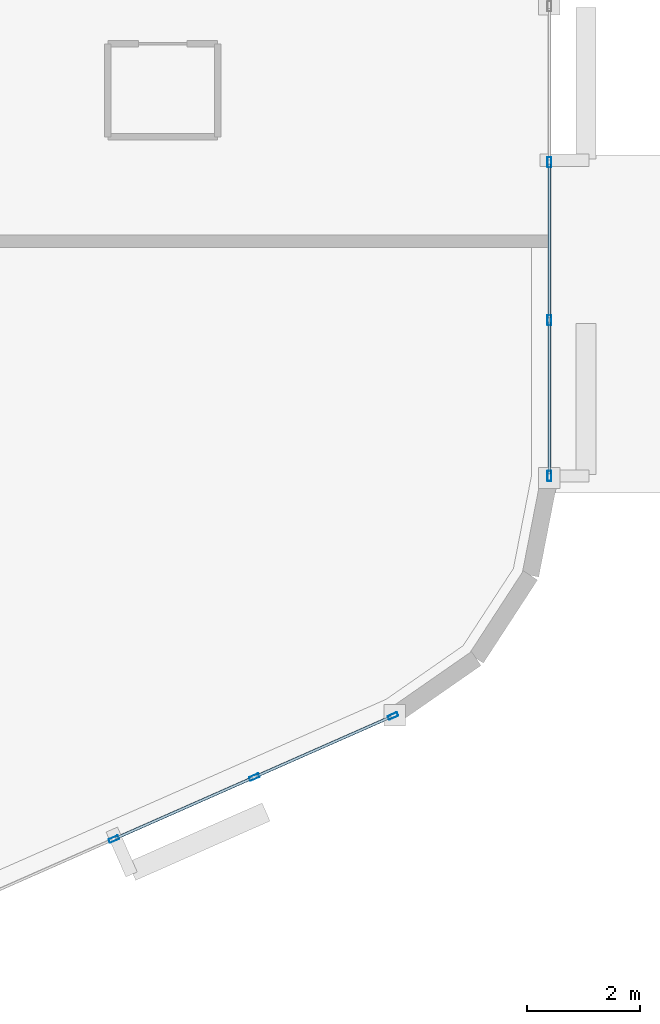
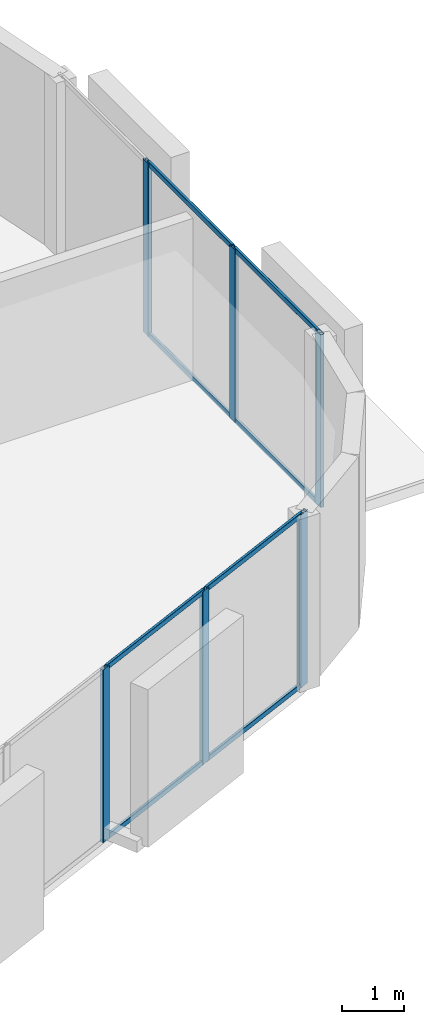
# One storey, part 4 of 12: 14 members, 2 elements without a shape of their own.
"""IFC4 building model written with IfcOpenShell, lengths in metres."""

from ifc_helpers import new_model, si_unit, direction, frame, origin, origin_2d, place, context, subcontext, project, spatial, hollow_rectangle, extrude, material, layer, layer_set, material_profile, profile_set, type_object, element, aggregate, save


model = new_model("IFC4")

# Units and contexts
model_context = context("Model", 3, precision=1e-05, world=origin(), true_north=direction((0.0, 1.0)))
body_context = subcontext(model_context, "Body", "Model", "MODEL_VIEW")
ifc_project = project(units=[si_unit("LENGTHUNIT", "METRE"), si_unit("AREAUNIT", "SQUARE_METRE"), si_unit("VOLUMEUNIT", "CUBIC_METRE"), si_unit("PLANEANGLEUNIT", "RADIAN"), si_unit("MASSUNIT", "GRAM", prefix="KILO")], contexts=[model_context])

# Site, building, storey
site_placement = place(None, origin())
site = spatial("IfcSite", under=ifc_project, at=site_placement, CompositionType="ELEMENT")
building_placement = place(site_placement, origin())
building = spatial("IfcBuilding", under=site, at=building_placement, Name="An Khanh Terracotta Commons", CompositionType="ELEMENT")
storey_placement = place(building_placement, frame((0.0, 0.0, 291.64990234375)))
storey = spatial("IfcBuildingStorey", under=building, at=storey_placement, Name="L76", CompositionType="ELEMENT", Elevation=291.64990234375)

# Curtain wall, members
ifc_material = material(Name="Anodised Aluminium 6063-T6", Category="aluminium")
ifc_layer = layer(ifc_material, 0.2099609375, Name="Anodised Aluminium 6063-T6")
ifc_layer_set = layer_set([ifc_layer], Name="Anodised Aluminium 6063-T6")
curtain_wall_type = type_object("IfcCurtainWallType", Name="CW-SYS-03", PredefinedType="USERDEFINED", material=ifc_layer_set)
curtain_wall_1_placement = place(storey_placement, origin())
curtain_wall_1 = element("IfcCurtainWall", 1, at=curtain_wall_1_placement, inside=storey, type_object=curtain_wall_type, Name="L76 CW-03 Unitised Curtain Wall CW-L76-08", ObjectType="UNITISED CURTAIN WALL", PredefinedType="USERDEFINED")
ifc_material_profile_1 = material_profile(ifc_material, hollow_rectangle(XDim=0.070068359375, YDim=0.179931640625, WallThickness=0.00390625, InnerFilletRadius=0.00390625, OuterFilletRadius=0.008056640625, at=origin_2d()), Name="RHS180x70x4")
ifc_profile_set_1 = profile_set([ifc_material_profile_1], Name="Anodised Aluminium 6063-T6")
member_type_1 = type_object("IfcMemberType", Name="CWM-RHS180x70x4", PredefinedType="MULLION", material=ifc_profile_set_1)
member_1_placement = place(storey_placement, frame((67.8720703125, 13.390380859375, 0.0), z_axis=(0.0, 0.0, 1.0), x_axis=(-0.403676354285, 0.914901853201, 0.0)))
member_1 = element("IfcMember", 2, at=member_1_placement, type_object=member_type_1, Name="CW-03 mullion 3", PredefinedType="MULLION", context=body_context, shape_type="SweptSolid", body=[
    extrude(hollow_rectangle(XDim=0.070068359375, YDim=0.179931640625, WallThickness=0.00390625, InnerFilletRadius=0.00390625, OuterFilletRadius=0.008056640625, at=origin_2d()), origin(), (0.0, 0.0, 1.0), 3.41015625),
])
member_2_placement = place(storey_placement, frame((70.364501953125, 14.490234375, 0.0), z_axis=(0.0, 0.0, 1.0), x_axis=(-0.403676354285, 0.914901853201, 0.0)))
member_2 = element("IfcMember", 3, at=member_2_placement, type_object=member_type_1, Name="CW-03 mullion 4", PredefinedType="MULLION", context=body_context, shape_type="SweptSolid", body=[
    extrude(hollow_rectangle(XDim=0.070068359375, YDim=0.179931640625, WallThickness=0.00390625, InnerFilletRadius=0.00390625, OuterFilletRadius=0.008056640625, at=origin_2d()), origin(), (0.0, 0.0, 1.0), 3.41015625),
])
member_3_placement = place(storey_placement, frame((72.824951171875, 15.575927734375, 0.0), z_axis=(0.0, 0.0, 1.0), x_axis=(-0.403676354285, 0.914901853201, 0.0)))
member_3 = element("IfcMember", 4, at=member_3_placement, type_object=member_type_1, Name="CW-03 mullion 5", PredefinedType="MULLION", context=body_context, shape_type="SweptSolid", body=[
    extrude(hollow_rectangle(XDim=0.070068359375, YDim=0.179931640625, WallThickness=0.00390625, InnerFilletRadius=0.00390625, OuterFilletRadius=0.008056640625, at=origin_2d()), origin(), (0.0, 0.0, 1.0), 3.41015625),
])

curtain_wall_2_placement = place(storey_placement, origin())
curtain_wall_2 = element("IfcCurtainWall", 5, at=curtain_wall_2_placement, inside=storey, type_object=curtain_wall_type, Name="L76 CW-03 Unitised Curtain Wall CW-L76-12", ObjectType="UNITISED CURTAIN WALL", PredefinedType="USERDEFINED")
member_4_placement = place(storey_placement, frame((75.60009765625, 19.8330078125, 0.0), z_axis=(0.0, 0.0, 1.0), x_axis=(-1.0, 0.0, 0.0)))
member_4 = element("IfcMember", 6, at=member_4_placement, type_object=member_type_1, Name="CW-03 mullion 1", PredefinedType="MULLION", context=body_context, shape_type="SweptSolid", body=[
    extrude(hollow_rectangle(XDim=0.070068359375, YDim=0.179931640625, WallThickness=0.00390625, InnerFilletRadius=0.00390625, OuterFilletRadius=0.008056640625, at=origin_2d()), origin(), (0.0, 0.0, 1.0), 3.41015625),
])
member_5_placement = place(storey_placement, frame((75.60009765625, 22.599365234375, 0.0), z_axis=(0.0, 0.0, 1.0), x_axis=(-1.0, 0.0, 0.0)))
member_5 = element("IfcMember", 7, at=member_5_placement, type_object=member_type_1, Name="CW-03 mullion 2", PredefinedType="MULLION", context=body_context, shape_type="SweptSolid", body=[
    extrude(hollow_rectangle(XDim=0.070068359375, YDim=0.179931640625, WallThickness=0.00390625, InnerFilletRadius=0.00390625, OuterFilletRadius=0.008056640625, at=origin_2d()), origin(), (0.0, 0.0, 1.0), 3.41015625),
])
member_6_placement = place(storey_placement, frame((75.60009765625, 25.400634765625, 0.0), z_axis=(0.0, 0.0, 1.0), x_axis=(-1.0, 0.0, 0.0)))
member_6 = element("IfcMember", 8, at=member_6_placement, type_object=member_type_1, Name="CW-03 mullion 3", PredefinedType="MULLION", context=body_context, shape_type="SweptSolid", body=[
    extrude(hollow_rectangle(XDim=0.070068359375, YDim=0.179931640625, WallThickness=0.00390625, InnerFilletRadius=0.00390625, OuterFilletRadius=0.008056640625, at=origin_2d()), origin(), (0.0, 0.0, 1.0), 3.41015625),
])

# Member
ifc_material_profile_2 = material_profile(ifc_material, hollow_rectangle(XDim=0.050048828125, YDim=0.10009765625, WallThickness=0.003173828125, InnerFilletRadius=0.003173828125, OuterFilletRadius=0.00634765625, at=origin_2d()), Name="RHS100x50x3.2")
ifc_profile_set_2 = profile_set([ifc_material_profile_2], Name="Anodised Aluminium 6063-T6")
member_type_2 = type_object("IfcMemberType", Name="CWT-RHS100x50x3.2", PredefinedType="USERDEFINED", material=ifc_profile_set_2)
member_7_placement = place(storey_placement, frame((67.904052734375, 13.404541015625, 0.025146484375), z_axis=(0.914896820753, 0.403687759755, 0.0), x_axis=(-0.403687759755, 0.914896820753, 0.0)))
member_7 = element("IfcMember", 9, at=member_7_placement, type_object=member_type_2, Name="CW-03 transom 3.1", ObjectType="TRANSOM", PredefinedType="USERDEFINED", context=body_context, shape_type="SweptSolid", body=[
    extrude(hollow_rectangle(XDim=0.050048828125, YDim=0.10009765625, WallThickness=0.003173828125, InnerFilletRadius=0.003173828125, OuterFilletRadius=0.00634765625, at=origin_2d()), origin(), (0.0, 0.0, 1.0), 2.654296875),
])

member_8_placement = place(storey_placement, frame((67.904052734375, 13.404541015625, 3.385009765625), z_axis=(0.914896820753, 0.403687759755, 0.0), x_axis=(-0.403687759755, 0.914896820753, 0.0)))
member_8 = element("IfcMember", 10, at=member_8_placement, type_object=member_type_2, Name="CW-03 transom 3.2", ObjectType="TRANSOM", PredefinedType="USERDEFINED", context=body_context, shape_type="SweptSolid", body=[
    extrude(hollow_rectangle(XDim=0.050048828125, YDim=0.10009765625, WallThickness=0.003173828125, InnerFilletRadius=0.003173828125, OuterFilletRadius=0.00634765625, at=origin_2d()), origin(), (0.0, 0.0, 1.0), 2.654296875),
])

member_9_placement = place(storey_placement, frame((70.396484375, 14.50439453125, 0.025146484375), z_axis=(0.914903627858, 0.403672332137, 0.0), x_axis=(-0.403672332137, 0.914903627858, 0.0)))
member_9 = element("IfcMember", 11, at=member_9_placement, type_object=member_type_2, Name="CW-03 transom 4.1", ObjectType="TRANSOM", PredefinedType="USERDEFINED", context=body_context, shape_type="SweptSolid", body=[
    extrude(hollow_rectangle(XDim=0.050048828125, YDim=0.10009765625, WallThickness=0.003173828125, InnerFilletRadius=0.003173828125, OuterFilletRadius=0.00634765625, at=origin_2d()), origin(), (0.0, 0.0, 1.0), 2.619384765625),
])

member_10_placement = place(storey_placement, frame((70.396484375, 14.50439453125, 3.385009765625), z_axis=(0.914903627858, 0.403672332137, 0.0), x_axis=(-0.403672332137, 0.914903627858, 0.0)))
member_10 = element("IfcMember", 12, at=member_10_placement, type_object=member_type_2, Name="CW-03 transom 4.2", ObjectType="TRANSOM", PredefinedType="USERDEFINED", context=body_context, shape_type="SweptSolid", body=[
    extrude(hollow_rectangle(XDim=0.050048828125, YDim=0.10009765625, WallThickness=0.003173828125, InnerFilletRadius=0.003173828125, OuterFilletRadius=0.00634765625, at=origin_2d()), origin(), (0.0, 0.0, 1.0), 2.619384765625),
])

aggregate(curtain_wall_1, [member_1, member_2, member_3, member_7, member_8, member_9, member_10])

member_11_placement = place(storey_placement, frame((75.60009765625, 19.867919921875, 0.025146484375), z_axis=(0.0, 1.0, 0.0), x_axis=(-1.0, 0.0, 0.0)))
member_11 = element("IfcMember", 13, at=member_11_placement, type_object=member_type_2, Name="CW-03 transom 1.1", ObjectType="TRANSOM", PredefinedType="USERDEFINED", context=body_context, shape_type="SweptSolid", body=[
    extrude(hollow_rectangle(XDim=0.050048828125, YDim=0.10009765625, WallThickness=0.003173828125, InnerFilletRadius=0.003173828125, OuterFilletRadius=0.00634765625, at=origin_2d()), origin(), (0.0, 0.0, 1.0), 2.696533203125),
])

member_12_placement = place(storey_placement, frame((75.60009765625, 19.867919921875, 3.385009765625), z_axis=(0.0, 1.0, 0.0), x_axis=(-1.0, 0.0, 0.0)))
member_12 = element("IfcMember", 14, at=member_12_placement, type_object=member_type_2, Name="CW-03 transom 1.2", ObjectType="TRANSOM", PredefinedType="USERDEFINED", context=body_context, shape_type="SweptSolid", body=[
    extrude(hollow_rectangle(XDim=0.050048828125, YDim=0.10009765625, WallThickness=0.003173828125, InnerFilletRadius=0.003173828125, OuterFilletRadius=0.00634765625, at=origin_2d()), origin(), (0.0, 0.0, 1.0), 2.696533203125),
])

member_13_placement = place(storey_placement, frame((75.60009765625, 22.63427734375, 0.025146484375), z_axis=(0.0, 1.0, 0.0), x_axis=(-1.0, 0.0, 0.0)))
member_13 = element("IfcMember", 15, at=member_13_placement, type_object=member_type_2, Name="CW-03 transom 2.1", ObjectType="TRANSOM", PredefinedType="USERDEFINED", context=body_context, shape_type="SweptSolid", body=[
    extrude(hollow_rectangle(XDim=0.050048828125, YDim=0.10009765625, WallThickness=0.003173828125, InnerFilletRadius=0.003173828125, OuterFilletRadius=0.00634765625, at=origin_2d()), origin(), (0.0, 0.0, 1.0), 2.7314453125),
])

member_14_placement = place(storey_placement, frame((75.60009765625, 22.63427734375, 3.385009765625), z_axis=(0.0, 1.0, 0.0), x_axis=(-1.0, 0.0, 0.0)))
member_14 = element("IfcMember", 16, at=member_14_placement, type_object=member_type_2, Name="CW-03 transom 2.2", ObjectType="TRANSOM", PredefinedType="USERDEFINED", context=body_context, shape_type="SweptSolid", body=[
    extrude(hollow_rectangle(XDim=0.050048828125, YDim=0.10009765625, WallThickness=0.003173828125, InnerFilletRadius=0.003173828125, OuterFilletRadius=0.00634765625, at=origin_2d()), origin(), (0.0, 0.0, 1.0), 2.7314453125),
])

aggregate(curtain_wall_2, [member_4, member_5, member_6, member_11, member_12, member_13, member_14])

save(model, "model.ifc")
